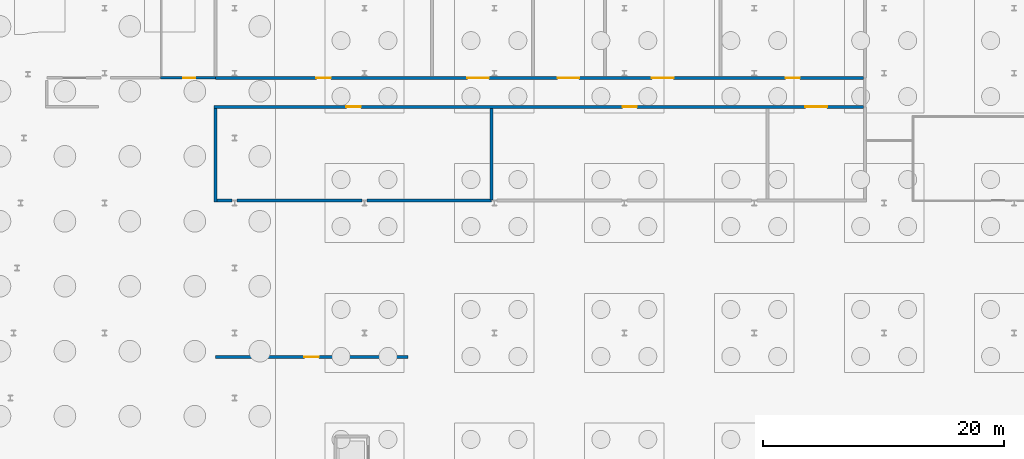
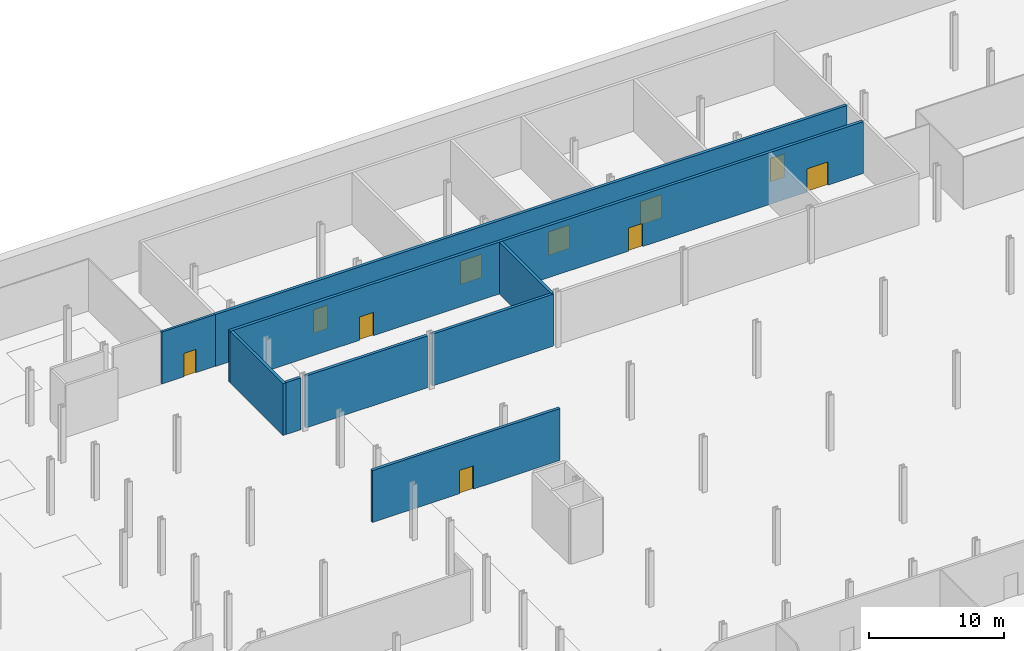
# One storey, part 16 of 23: 10 doors, 9 walls, 10 openings.
"""IFC4 building model written with IfcOpenShell, lengths in metres."""

from ifc_helpers import new_model, si_unit, direction, frame, frame_2d, origin, place, context, subcontext, project, spatial, rectangle, extrude, source, transform, mapped, material, layer, layer_set, type_object, element, fill, save


model = new_model("IFC4")

# Units and contexts
model_context = context("Model", 3, precision=1e-05, world=origin(), true_north=direction((0.0, 1.0)))
body_context = subcontext(model_context, "Body", "Model", "MODEL_VIEW")
ifc_project = project(units=[si_unit("LENGTHUNIT", "METRE"), si_unit("AREAUNIT", "SQUARE_METRE"), si_unit("VOLUMEUNIT", "CUBIC_METRE"), si_unit("PLANEANGLEUNIT", "RADIAN"), si_unit("MASSUNIT", "GRAM", prefix="KILO")], contexts=[model_context])

# Site, building, storey
site_placement = place(None, origin())
site = spatial("IfcSite", under=ifc_project, at=site_placement, CompositionType="ELEMENT")
building_placement = place(site_placement, origin())
building = spatial("IfcBuilding", under=site, at=building_placement, Name="Kheshtan School and Residences Tower", CompositionType="ELEMENT")
storey_placement = place(building_placement, frame((0.0, 0.0, -15.0)))
storey = spatial("IfcBuildingStorey", under=building, at=storey_placement, Name="B3", CompositionType="ELEMENT", Elevation=-15.0)

# Wall, opening, door
ifc_material_1 = material(Name="Gypsum board on steel studs with fire boards", Category="steel")
ifc_layer_1 = layer(ifc_material_1, 0.199951171875)
ifc_layer_set_1 = layer_set([ifc_layer_1], Name="Corridor wall 200")
wall_type_1 = type_object("IfcWallType", Name="Corridor wall 200", PredefinedType="PARTITIONING", material=ifc_layer_set_1)
wall_1_placement = place(storey_placement, frame((41.449951171875, 99.199951171875, 0.0), z_axis=(0.0, 0.0, 1.0), x_axis=(1.0, 0.0, 0.0)))
wall_1 = element("IfcWall", 1, at=wall_1_placement, inside=storey, type_object=wall_type_1, Name="Partition B3-009", PredefinedType="PARTITIONING", context=body_context, shape_type="SweptSolid", body=[
    extrude(rectangle(XDim=4.550048828125, YDim=0.199951171875, at=frame_2d((2.27490234375, 0.0))), origin(), (0.0, 0.0, 1.0), 4.679931640625),
])
opening_1_placement = place(wall_1_placement, frame((1.89990234375, 0.0, 0.0)))
opening_1 = element("IfcOpeningElement", 2, at=opening_1_placement, cuts=wall_1, Name="Opening D3-014", PredefinedType="OPENING", context=body_context, shape_type="SweptSolid", body=[
    extrude(rectangle(XDim=1.0, YDim=2.10009765625, at=frame_2d((0.5, 1.050048828125))), frame((0.0, 0.10986328125, 0.0), z_axis=(0.0, -1.0, 0.0), x_axis=(1.0, 0.0, 0.0)), (0.0, 0.0, 1.0), 0.219970703125),
])
ifc_material_2 = material(Name="Steel-framed fire-resisting door leaf", Category="steel")
door_type_1 = type_object("IfcDoorType", Name="Fire door FD60 1000 x 2100", OperationType="SINGLE_SWING_LEFT", PredefinedType="DOOR", material=ifc_material_2)
shared_shape_1 = source(origin(), body_context, "Body", "SweptSolid", [
    extrude(rectangle(XDim=1.0, YDim=2.10009765625, at=frame_2d((0.5, 1.050048828125))), frame((0.0, 0.02490234375, 0.0), z_axis=(0.0, -1.0, 0.0), x_axis=(1.0, 0.0, 0.0)), (0.0, 0.0, 1.0), 0.050048828125),
])
door_1_placement = place(opening_1_placement, origin())
door_1 = element("IfcDoor", 3, at=door_1_placement, inside=storey, type_object=door_type_1, Name="Door D3-014", OperationType="SINGLE_SWING_LEFT", OverallHeight=2.10009765625, OverallWidth=1.0, PredefinedType="DOOR", context=body_context, shape_type="MappedRepresentation", body=[
    mapped(shared_shape_1, transform((0.0, 0.0, 0.0), x_axis=(1.0, 0.0, 0.0), y_axis=(0.0, 1.0, 0.0), z_axis=(0.0, 0.0, 1.0), scale=1.0)),
])
fill(opening_1, door_1)

# Wall, openings, doors
ifc_material_3 = material(Name="Fire-board and steel stud wall with mineral wool", Category="steel")
ifc_layer_2 = layer(ifc_material_3, 0.25)
ifc_layer_set_2 = layer_set([ifc_layer_2], Name="Plant room wall 250")
wall_type_2 = type_object("IfcWallType", Name="Plant room wall 250", PredefinedType="PARTITIONING", material=ifc_layer_set_2)
wall_2_placement = place(storey_placement, frame((45.875, 96.800048828125, 0.0), z_axis=(0.0, 0.0, 1.0), x_axis=(1.0, 0.0, 0.0)))
wall_2 = element("IfcWall", 4, at=wall_2_placement, inside=storey, type_object=wall_type_2, Name="Partition B3-011", PredefinedType="PARTITIONING", context=body_context, shape_type="SweptSolid", body=[
    extrude(rectangle(XDim=54.0, YDim=0.25, at=frame_2d((27.0, 0.0))), origin(), (0.0, 0.0, 1.0), 4.679931640625),
])
opening_2_placement = place(wall_2_placement, frame((11.02490234375, 0.0, 0.0)))
opening_2 = element("IfcOpeningElement", 5, at=opening_2_placement, cuts=wall_2, Name="Opening D3-003", PredefinedType="OPENING", context=body_context, shape_type="SweptSolid", body=[
    extrude(rectangle(XDim=1.199951171875, YDim=2.10009765625, at=frame_2d((0.60009765625, 1.050048828125))), frame((0.0, 0.135009765625, 0.0), z_axis=(0.0, -1.0, 0.0), x_axis=(1.0, 0.0, 0.0)), (0.0, 0.0, 1.0), 0.27001953125),
])
opening_3_placement = place(wall_2_placement, frame((33.97509765625, 0.0, 0.0)))
opening_3 = element("IfcOpeningElement", 6, at=opening_3_placement, cuts=wall_2, Name="Opening D3-004", PredefinedType="OPENING", context=body_context, shape_type="SweptSolid", body=[
    extrude(rectangle(XDim=1.199951171875, YDim=2.10009765625, at=frame_2d((0.60009765625, 1.050048828125))), frame((0.0, 0.135009765625, 0.0), z_axis=(0.0, -1.0, 0.0), x_axis=(1.0, 0.0, 0.0)), (0.0, 0.0, 1.0), 0.27001953125),
])
opening_4_placement = place(wall_2_placement, frame((49.175048828125, 0.0, 0.0)))
opening_4 = element("IfcOpeningElement", 7, at=opening_4_placement, cuts=wall_2, Name="Opening D3-005", PredefinedType="OPENING", context=body_context, shape_type="SweptSolid", body=[
    extrude(rectangle(XDim=1.800048828125, YDim=2.10009765625, at=frame_2d((0.89990234375, 1.050048828125))), frame((0.0, 0.135009765625, 0.0), z_axis=(0.0, -1.0, 0.0), x_axis=(1.0, 0.0, 0.0)), (0.0, 0.0, 1.0), 0.27001953125),
])
door_type_2 = type_object("IfcDoorType", Name="Fire door FD120 1200 x 2100", OperationType="SINGLE_SWING_LEFT", PredefinedType="DOOR", material=ifc_material_2)
shared_shape_2 = source(origin(), body_context, "Body", "SweptSolid", [
    extrude(rectangle(XDim=1.199951171875, YDim=2.10009765625, at=frame_2d((0.60009765625, 1.050048828125))), frame((0.0, 0.02490234375, 0.0), z_axis=(0.0, -1.0, 0.0), x_axis=(1.0, 0.0, 0.0)), (0.0, 0.0, 1.0), 0.050048828125),
])
door_2_placement = place(opening_2_placement, origin())
door_2 = element("IfcDoor", 8, at=door_2_placement, inside=storey, type_object=door_type_2, Name="Door D3-003", OperationType="SINGLE_SWING_RIGHT", OverallHeight=2.10009765625, OverallWidth=1.199951171875, PredefinedType="DOOR", context=body_context, shape_type="MappedRepresentation", body=[
    mapped(shared_shape_2, transform((0.0, 0.0, 0.0), x_axis=(1.0, 0.0, 0.0), y_axis=(0.0, 1.0, 0.0), z_axis=(0.0, 0.0, 1.0), scale=1.0)),
])
fill(opening_2, door_2)
door_3_placement = place(opening_3_placement, origin())
door_3 = element("IfcDoor", 9, at=door_3_placement, inside=storey, type_object=door_type_2, Name="Door D3-004", OperationType="SINGLE_SWING_RIGHT", OverallHeight=2.10009765625, OverallWidth=1.199951171875, PredefinedType="DOOR", context=body_context, shape_type="MappedRepresentation", body=[
    mapped(shared_shape_2, transform((0.0, 0.0, 0.0), x_axis=(1.0, 0.0, 0.0), y_axis=(0.0, 1.0, 0.0), z_axis=(0.0, 0.0, 1.0), scale=1.0)),
])
fill(opening_3, door_3)
door_type_3 = type_object("IfcDoorType", Name="Fire double door FD120 1800 x 2100", OperationType="DOUBLE_DOOR_SINGLE_SWING", PredefinedType="DOOR", material=ifc_material_2)
shared_shape_3 = source(origin(), body_context, "Body", "SweptSolid", [
    extrude(rectangle(XDim=1.800048828125, YDim=2.10009765625, at=frame_2d((0.89990234375, 1.050048828125))), frame((0.0, 0.02490234375, 0.0), z_axis=(0.0, -1.0, 0.0), x_axis=(1.0, 0.0, 0.0)), (0.0, 0.0, 1.0), 0.050048828125),
])
door_4_placement = place(opening_4_placement, origin())
door_4 = element("IfcDoor", 10, at=door_4_placement, inside=storey, type_object=door_type_3, Name="Door D3-005", OperationType="DOUBLE_DOOR_SINGLE_SWING", OverallHeight=2.10009765625, OverallWidth=1.800048828125, PredefinedType="DOOR", context=body_context, shape_type="MappedRepresentation", body=[
    mapped(shared_shape_3, transform((0.0, 0.0, 0.0), x_axis=(1.0, 0.0, 0.0), y_axis=(0.0, 1.0, 0.0), z_axis=(0.0, 0.0, 1.0), scale=1.0)),
])
fill(opening_4, door_4)

# Wall, opening, door
wall_3_placement = place(storey_placement, frame((46.0, 76.0, 0.0), z_axis=(0.0, 0.0, 1.0), x_axis=(1.0, 0.0, 0.0)))
wall_3 = element("IfcWall", 11, at=wall_3_placement, inside=storey, type_object=wall_type_2, Name="Partition B3-015", PredefinedType="PARTITIONING", context=body_context, shape_type="SweptSolid", body=[
    extrude(rectangle(XDim=16.0, YDim=0.25, at=frame_2d((8.0, 0.0))), origin(), (0.0, 0.0, 1.0), 4.679931640625),
])
opening_5_placement = place(wall_3_placement, frame((7.39990234375, 0.0, 0.0)))
opening_5 = element("IfcOpeningElement", 12, at=opening_5_placement, cuts=wall_3, Name="Opening D3-022", PredefinedType="OPENING", context=body_context, shape_type="SweptSolid", body=[
    extrude(rectangle(XDim=1.199951171875, YDim=2.10009765625, at=frame_2d((0.60009765625, 1.050048828125))), frame((0.0, 0.135009765625, 0.0), z_axis=(0.0, -1.0, 0.0), x_axis=(1.0, 0.0, 0.0)), (0.0, 0.0, 1.0), 0.27001953125),
])
door_5_placement = place(opening_5_placement, origin())
door_5 = element("IfcDoor", 13, at=door_5_placement, inside=storey, type_object=door_type_2, Name="Door D3-022", OperationType="SINGLE_SWING_LEFT", OverallHeight=2.10009765625, OverallWidth=1.199951171875, PredefinedType="DOOR", context=body_context, shape_type="MappedRepresentation", body=[
    mapped(shared_shape_2, transform((0.0, 0.0, 0.0), x_axis=(1.0, 0.0, 0.0), y_axis=(0.0, 1.0, 0.0), z_axis=(0.0, 0.0, 1.0), scale=1.0)),
])
fill(opening_5, door_5)

# Wall
wall_4_placement = place(storey_placement, frame((46.0, 88.875, 0.0), z_axis=(0.0, 0.0, 1.0), x_axis=(0.0, 1.0, 0.0)))
element("IfcWall", 14, at=wall_4_placement, inside=storey, type_object=wall_type_2, Name="Partition B3-016", PredefinedType="PARTITIONING", context=body_context, shape_type="SweptSolid", body=[
    extrude(rectangle(XDim=7.800048828125, YDim=0.25, at=frame_2d((3.89990234375, 0.0))), origin(), (0.0, 0.0, 1.0), 4.679931640625),
])

# Wall, openings, doors
wall_5_placement = place(storey_placement, frame((46.0, 99.199951171875, 0.0), z_axis=(0.0, 0.0, 1.0), x_axis=(1.0, 0.0, 0.0)))
wall_5 = element("IfcWall", 15, at=wall_5_placement, inside=storey, type_object=wall_type_2, Name="Partition B3-017", PredefinedType="PARTITIONING", context=body_context, shape_type="SweptSolid", body=[
    extrude(rectangle(XDim=53.875, YDim=0.25, at=frame_2d((26.9375, 0.0))), origin(), (0.0, 0.0, 1.0), 4.679931640625),
])
opening_6_placement = place(wall_5_placement, frame((8.39990234375, 0.0, 0.0)))
opening_6 = element("IfcOpeningElement", 16, at=opening_6_placement, cuts=wall_5, Name="Opening D3-006", PredefinedType="OPENING", context=body_context, shape_type="SweptSolid", body=[
    extrude(rectangle(XDim=1.199951171875, YDim=2.10009765625, at=frame_2d((0.60009765625, 1.050048828125))), frame((0.0, 0.135009765625, 0.0), z_axis=(0.0, -1.0, 0.0), x_axis=(1.0, 0.0, 0.0)), (0.0, 0.0, 1.0), 0.27001953125),
])
opening_7_placement = place(wall_5_placement, frame((20.949951171875, 0.0, 0.0)))
opening_7 = element("IfcOpeningElement", 17, at=opening_7_placement, cuts=wall_5, Name="Opening D3-007", PredefinedType="OPENING", context=body_context, shape_type="SweptSolid", body=[
    extrude(rectangle(XDim=1.800048828125, YDim=2.10009765625, at=frame_2d((0.89990234375, 1.050048828125))), frame((0.0, 0.135009765625, 0.0), z_axis=(0.0, -1.0, 0.0), x_axis=(1.0, 0.0, 0.0)), (0.0, 0.0, 1.0), 0.27001953125),
])
opening_8_placement = place(wall_5_placement, frame((28.449951171875, 0.0, 0.0)))
opening_8 = element("IfcOpeningElement", 18, at=opening_8_placement, cuts=wall_5, Name="Opening D3-008", PredefinedType="OPENING", context=body_context, shape_type="SweptSolid", body=[
    extrude(rectangle(XDim=1.800048828125, YDim=2.10009765625, at=frame_2d((0.89990234375, 1.050048828125))), frame((0.0, 0.135009765625, 0.0), z_axis=(0.0, -1.0, 0.0), x_axis=(1.0, 0.0, 0.0)), (0.0, 0.0, 1.0), 0.27001953125),
])
opening_9_placement = place(wall_5_placement, frame((36.300048828125, 0.0, 0.0)))
opening_9 = element("IfcOpeningElement", 19, at=opening_9_placement, cuts=wall_5, Name="Opening D3-009", PredefinedType="OPENING", context=body_context, shape_type="SweptSolid", body=[
    extrude(rectangle(XDim=1.800048828125, YDim=2.10009765625, at=frame_2d((0.89990234375, 1.050048828125))), frame((0.0, 0.135009765625, 0.0), z_axis=(0.0, -1.0, 0.0), x_axis=(1.0, 0.0, 0.0)), (0.0, 0.0, 1.0), 0.27001953125),
])
opening_10_placement = place(wall_5_placement, frame((47.39990234375, 0.0, 0.0)))
opening_10 = element("IfcOpeningElement", 20, at=opening_10_placement, cuts=wall_5, Name="Opening D3-010", PredefinedType="OPENING", context=body_context, shape_type="SweptSolid", body=[
    extrude(rectangle(XDim=1.199951171875, YDim=2.10009765625, at=frame_2d((0.60009765625, 1.050048828125))), frame((0.0, 0.135009765625, 0.0), z_axis=(0.0, -1.0, 0.0), x_axis=(1.0, 0.0, 0.0)), (0.0, 0.0, 1.0), 0.27001953125),
])
door_6_placement = place(opening_6_placement, origin())
door_6 = element("IfcDoor", 21, at=door_6_placement, inside=storey, type_object=door_type_2, Name="Door D3-006", OperationType="SINGLE_SWING_LEFT", OverallHeight=2.10009765625, OverallWidth=1.199951171875, PredefinedType="DOOR", context=body_context, shape_type="MappedRepresentation", body=[
    mapped(shared_shape_2, transform((0.0, 0.0, 0.0), x_axis=(1.0, 0.0, 0.0), y_axis=(0.0, 1.0, 0.0), z_axis=(0.0, 0.0, 1.0), scale=1.0)),
])
fill(opening_6, door_6)
door_7_placement = place(opening_10_placement, origin())
door_7 = element("IfcDoor", 22, at=door_7_placement, inside=storey, type_object=door_type_2, Name="Door D3-010", OperationType="SINGLE_SWING_LEFT", OverallHeight=2.10009765625, OverallWidth=1.199951171875, PredefinedType="DOOR", context=body_context, shape_type="MappedRepresentation", body=[
    mapped(shared_shape_2, transform((0.0, 0.0, 0.0), x_axis=(1.0, 0.0, 0.0), y_axis=(0.0, 1.0, 0.0), z_axis=(0.0, 0.0, 1.0), scale=1.0)),
])
fill(opening_10, door_7)
door_8_placement = place(opening_7_placement, origin())
door_8 = element("IfcDoor", 23, at=door_8_placement, inside=storey, type_object=door_type_3, Name="Door D3-007", OperationType="DOUBLE_DOOR_SINGLE_SWING", OverallHeight=2.10009765625, OverallWidth=1.800048828125, PredefinedType="DOOR", context=body_context, shape_type="MappedRepresentation", body=[
    mapped(shared_shape_3, transform((0.0, 0.0, 0.0), x_axis=(1.0, 0.0, 0.0), y_axis=(0.0, 1.0, 0.0), z_axis=(0.0, 0.0, 1.0), scale=1.0)),
])
fill(opening_7, door_8)
door_9_placement = place(opening_8_placement, origin())
door_9 = element("IfcDoor", 24, at=door_9_placement, inside=storey, type_object=door_type_3, Name="Door D3-008", OperationType="DOUBLE_DOOR_SINGLE_SWING", OverallHeight=2.10009765625, OverallWidth=1.800048828125, PredefinedType="DOOR", context=body_context, shape_type="MappedRepresentation", body=[
    mapped(shared_shape_3, transform((0.0, 0.0, 0.0), x_axis=(1.0, 0.0, 0.0), y_axis=(0.0, 1.0, 0.0), z_axis=(0.0, 0.0, 1.0), scale=1.0)),
])
fill(opening_8, door_9)
door_10_placement = place(opening_9_placement, origin())
door_10 = element("IfcDoor", 25, at=door_10_placement, inside=storey, type_object=door_type_3, Name="Door D3-009", OperationType="DOUBLE_DOOR_SINGLE_SWING", OverallHeight=2.10009765625, OverallWidth=1.800048828125, PredefinedType="DOOR", context=body_context, shape_type="MappedRepresentation", body=[
    mapped(shared_shape_3, transform((0.0, 0.0, 0.0), x_axis=(1.0, 0.0, 0.0), y_axis=(0.0, 1.0, 0.0), z_axis=(0.0, 0.0, 1.0), scale=1.0)),
])
fill(opening_9, door_10)

# Walls
wall_6_placement = place(storey_placement, frame((46.125, 89.0, 0.0), z_axis=(0.0, 0.0, 1.0), x_axis=(1.0, 0.0, 0.0)))
element("IfcWall", 26, at=wall_6_placement, inside=storey, type_object=wall_type_2, Name="Partition B3-019", PredefinedType="PARTITIONING", context=body_context, shape_type="SweptSolid", body=[
    extrude(rectangle(XDim=1.263916015625, YDim=0.25, at=frame_2d((0.6318359375, 0.0))), origin(), (0.0, 0.0, 1.0), 4.679931640625),
])
wall_7_placement = place(storey_placement, frame((47.81103515625, 89.0, 0.0), z_axis=(0.0, 0.0, 1.0), x_axis=(1.0, 0.0, 0.0)))
element("IfcWall", 27, at=wall_7_placement, inside=storey, type_object=wall_type_2, Name="Partition B3-020", PredefinedType="PARTITIONING", context=body_context, shape_type="SweptSolid", body=[
    extrude(rectangle(XDim=10.3779296875, YDim=0.25, at=frame_2d((5.18896484375, 0.0))), origin(), (0.0, 0.0, 1.0), 4.679931640625),
])
wall_8_placement = place(storey_placement, frame((58.611083984375, 89.0, 0.0), z_axis=(0.0, 0.0, 1.0), x_axis=(1.0, 0.0, 0.0)))
element("IfcWall", 28, at=wall_8_placement, inside=storey, type_object=wall_type_2, Name="Partition B3-021", PredefinedType="PARTITIONING", context=body_context, shape_type="SweptSolid", body=[
    extrude(rectangle(XDim=10.3388671875, YDim=0.25, at=frame_2d((5.16943359375, 0.0))), origin(), (0.0, 0.0, 1.0), 4.679931640625),
])
wall_9_placement = place(storey_placement, frame((68.949951171875, 89.035888671875, 0.0), z_axis=(0.0, 0.0, 1.0), x_axis=(0.0, 1.0, 0.0)))
element("IfcWall", 29, at=wall_9_placement, inside=storey, type_object=wall_type_2, Name="Partition B3-024", PredefinedType="PARTITIONING", context=body_context, shape_type="SweptSolid", body=[
    extrude(rectangle(XDim=7.63916015625, YDim=0.25, at=frame_2d((3.819580078125, 0.0))), origin(), (0.0, 0.0, 1.0), 4.679931640625),
])

save(model, "model.ifc")
